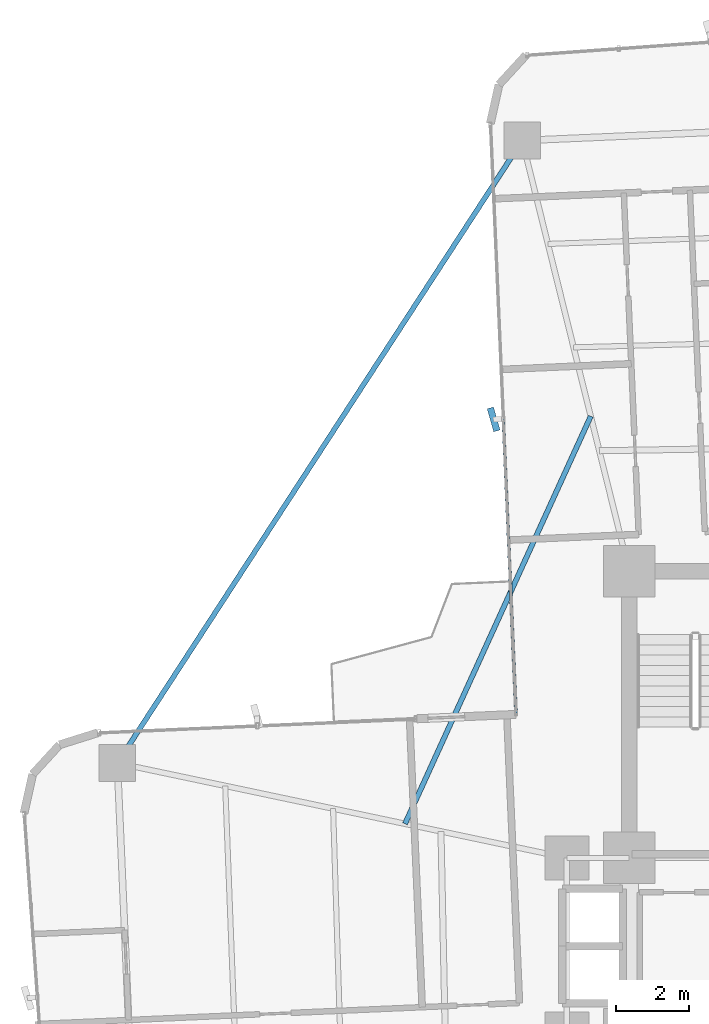
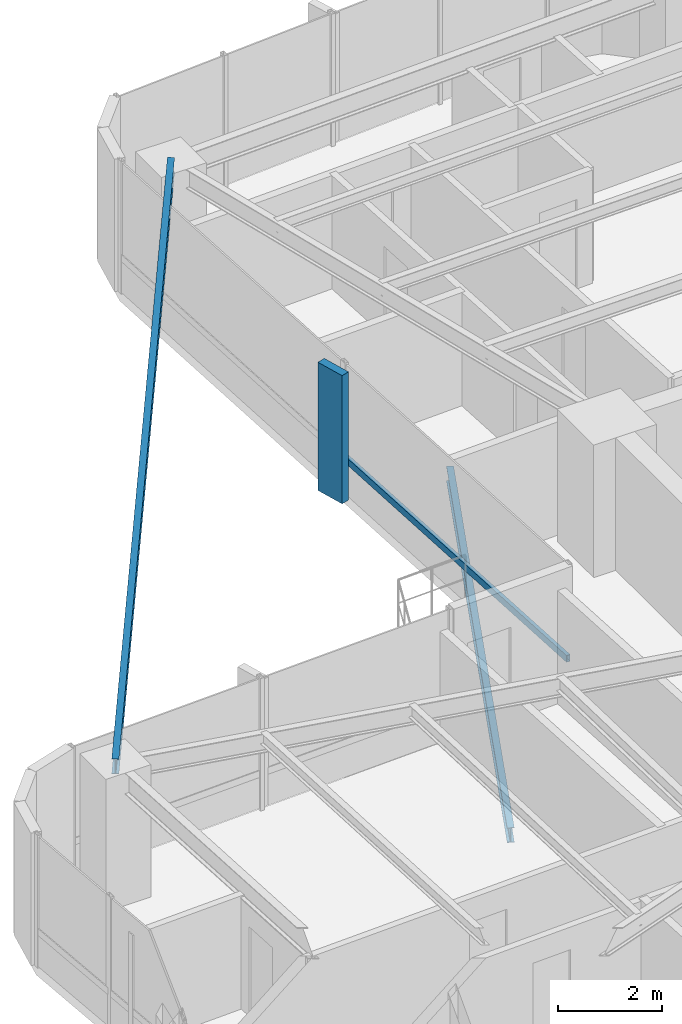
# One storey, part 16 of 27: 2 beams, 2 members, 1 element without a shape of its own.
"""IFC4 building model written with IfcOpenShell, lengths in metres."""

import ifcopenshell
import ifcopenshell.guid

model = None  # the IFC model being written
_history = None  # IfcOwnerHistory: only IFC2X3 demands one
_inside = {}  # id of a spatial element -> (the spatial element, [elements in it])
_under = {}  # id of a project, library or spatial element -> (it, [spatial elements below it])
_declared = {}  # id of a project -> (the project, [libraries it declares])
_typed = {}  # id of a type object -> (the type object, [elements of that type])
_made_of = {}  # id of a material, layer set ... -> (it, [elements and type objects made of it])


def new_model(schema):
    """Start an empty IFC model of exactly this schema.

    Asked for "IFC4X3", IfcOpenShell would pick the latest addendum, in which some entities
    have other attributes; the version numbers below select the first issue.
    IFC2X3 requires an IfcOwnerHistory on every rooted entity: one is made here for all.
    """
    global model, _history
    if schema == "IFC4X3":
        model = ifcopenshell.file(schema_version=(4, 3, 0, 0))
    else:
        model = ifcopenshell.file(schema=schema)
    _inside.clear()
    _under.clear()
    _declared.clear()
    _typed.clear()
    _made_of.clear()
    _history = None
    if model.schema == "IFC2X3":
        org = make("IfcOrganization", Name="unknown")
        user = make(
            "IfcPersonAndOrganization",
            ThePerson=make("IfcPerson", FamilyName="unknown"),
            TheOrganization=org,
        )
        app = make(
            "IfcApplication",
            ApplicationDeveloper=org,
            Version="unknown",
            ApplicationFullName="unknown",
            ApplicationIdentifier="unknown",
        )
        _history = make(
            "IfcOwnerHistory",
            OwningUser=user,
            OwningApplication=app,
            ChangeAction="ADDED",
            CreationDate=0,
        )
    return model


def make(cls, **values):
    """One entity of the class cls with the attributes given. An attribute that is None is left unset."""
    return model.create_entity(
        cls, **{name: value for name, value in values.items() if value is not None}
    )


def rooted(cls, **values):
    """An entity with a GlobalId (a new one), such as an element, a storey or a relation."""
    return make(cls, GlobalId=ifcopenshell.guid.new(), OwnerHistory=_history, **values)


def si_unit(unit_type, name, prefix=None):
    """IfcSIUnit, for example si_unit("LENGTHUNIT", "METRE", prefix="MILLI")."""
    return make("IfcSIUnit", UnitType=unit_type, Prefix=prefix, Name=name)


def assignment(units):
    """IfcUnitAssignment: the units of a project."""
    return None if units is None else make("IfcUnitAssignment", Units=units)


def point(xyz):
    """IfcCartesianPoint."""
    return None if xyz is None else make("IfcCartesianPoint", Coordinates=xyz)


def direction(xyz):
    """IfcDirection."""
    return None if xyz is None else make("IfcDirection", DirectionRatios=xyz)


def frame(location, z_axis=None, x_axis=None):
    """IfcAxis2Placement3D, a coordinate frame: its origin and axes. An axis left out is left unset."""
    return make(
        "IfcAxis2Placement3D",
        Location=point(location),
        Axis=direction(z_axis),
        RefDirection=direction(x_axis),
    )


def frame_2d(location, x_axis=None):
    """IfcAxis2Placement2D, a coordinate frame in the plane: its origin and x axis."""
    return make(
        "IfcAxis2Placement2D", Location=point(location), RefDirection=direction(x_axis)
    )


def origin():
    """The frame at (0, 0, 0) with its axes left unset."""
    return frame((0.0, 0.0, 0.0))


def origin_2d():
    """The frame at (0, 0) in the plane with its x axis left unset."""
    return frame_2d((0.0, 0.0))


def place(relative_to, where):
    """IfcLocalPlacement: puts the frame where relative to a parent placement (None: the world)."""
    return make(
        "IfcLocalPlacement", PlacementRelTo=relative_to, RelativePlacement=where
    )


def context(
    kind, dimensions, precision=None, world=None, true_north=None, identifier=None
):
    """IfcGeometricRepresentationContext, for example the 3D "Model" context."""
    return make(
        "IfcGeometricRepresentationContext",
        ContextIdentifier=identifier,
        ContextType=kind,
        CoordinateSpaceDimension=dimensions,
        Precision=precision,
        WorldCoordinateSystem=world,
        TrueNorth=true_north,
    )


def subcontext(parent, identifier, kind, view, scale=None):
    """IfcGeometricRepresentationSubContext, for example "Body" below "Model"."""
    return make(
        "IfcGeometricRepresentationSubContext",
        ContextIdentifier=identifier,
        ContextType=kind,
        ParentContext=parent,
        TargetScale=scale,
        TargetView=view,
    )


def project(units=None, contexts=None):
    """IfcProject with its units and contexts."""
    return rooted(
        "IfcProject",
        Name="project",
        RepresentationContexts=contexts,
        UnitsInContext=assignment(units),
    )


def spatial(cls, under=None, at=None, **own):
    """A site, building, storey or space (cls), placed at a placement, below another one or the project."""
    s = rooted(cls, ObjectPlacement=at, **own)
    if under is not None:
        _under.setdefault(under.id(), (under, []))[1].append(s)
    return s


def profile(cls, at=None, kind="AREA", **sizes):
    """A parametric profile (cls). Its sizes go by their IFC names, for example OverallWidth=200.0."""
    return make(cls, ProfileType=kind, Position=at, **sizes)


def rectangle(**sizes):
    """IfcRectangleProfileDef."""
    return profile("IfcRectangleProfileDef", **sizes)


def hollow_rectangle(**sizes):
    """IfcRectangleHollowProfileDef."""
    return profile("IfcRectangleHollowProfileDef", **sizes)


def i_section(**sizes):
    """IfcIShapeProfileDef."""
    return profile("IfcIShapeProfileDef", **sizes)


def extrude(swept, where, along, depth):
    """IfcExtrudedAreaSolid: the profile swept, set in the frame where, extruded along a direction by depth."""
    return make(
        "IfcExtrudedAreaSolid",
        SweptArea=swept,
        Position=where,
        ExtrudedDirection=direction(along),
        Depth=depth,
    )


def shape(context_of_items, identifier, shape_type, items):
    """IfcShapeRepresentation: the items that make up one representation, for example the "Body"."""
    return make(
        "IfcShapeRepresentation",
        ContextOfItems=context_of_items,
        RepresentationIdentifier=identifier,
        RepresentationType=shape_type,
        Items=items,
    )


def source(mapping_origin, context_of_items, identifier, shape_type, items):
    """IfcRepresentationMap: a shape defined once, which mapped items show again and again."""
    return make(
        "IfcRepresentationMap",
        MappingOrigin=mapping_origin,
        MappedRepresentation=shape(context_of_items, identifier, shape_type, items),
    )


def transform(
    local_origin,
    x_axis=None,
    y_axis=None,
    z_axis=None,
    scale=None,
    scale2=None,
    scale3=None,
    uniform=True,
):
    """IfcCartesianTransformationOperator3D, or its non-uniform kind. x_axis, y_axis, z_axis: its Axis1, 2, 3."""
    if uniform:
        return make(
            "IfcCartesianTransformationOperator3D",
            Axis1=direction(x_axis),
            Axis2=direction(y_axis),
            LocalOrigin=point(local_origin),
            Scale=scale,
            Axis3=direction(z_axis),
        )
    return make(
        "IfcCartesianTransformationOperator3DnonUniform",
        Axis1=direction(x_axis),
        Axis2=direction(y_axis),
        LocalOrigin=point(local_origin),
        Scale=scale,
        Axis3=direction(z_axis),
        Scale2=scale2,
        Scale3=scale3,
    )


def mapped(mapping_source, mapping_target):
    """IfcMappedItem: shows the shape of a source again, moved by a transform."""
    return make(
        "IfcMappedItem", MappingSource=mapping_source, MappingTarget=mapping_target
    )


def material(Name=None, Category=None):
    """IfcMaterial."""
    return make("IfcMaterial", Name=Name, Category=Category)


def material_profile(
    of_material, cross_section, Name=None, Category=None, Priority=None
):
    """IfcMaterialProfile: a cross section and its material."""
    return make(
        "IfcMaterialProfile",
        Name=Name,
        Material=of_material,
        Profile=cross_section,
        Priority=Priority,
        Category=Category,
    )


def profile_set(profiles, Name=None, composite=None):
    """IfcMaterialProfileSet."""
    return make(
        "IfcMaterialProfileSet",
        Name=Name,
        MaterialProfiles=profiles,
        CompositeProfile=composite,
    )


def made_of(thing, what):
    """Note that an element or type object is made of a material, layer set ...; save() writes the relation."""
    if what is not None:
        _made_of.setdefault(what.id(), (what, []))[1].append(thing)
    return thing


def type_object(cls, material=None, **own):
    """A type object (cls), such as IfcWallType, which elements share."""
    return made_of(rooted(cls, **own), material)


def element(
    cls,
    number,
    at=None,
    inside=None,
    cuts=None,
    type_object=None,
    material=None,
    context=None,
    identifier="Body",
    shape_type=None,
    held_by="IfcProductDefinitionShape",
    body=None,
    shapes=None,
    **own,
):
    """One element of the class cls, such as IfcWall. Its Tag is "e" and its number.

    at: its placement. inside: the storey or other place that contains it. cuts: it is an
    opening in that element (IfcRelVoidsElement). A single representation is given by context,
    identifier, shape_type and body (its items); several are given by shapes. held_by: the class
    of the entity that holds the representations. save() writes the other relations.
    """
    e = rooted(cls, Tag="e%d" % number, ObjectPlacement=at, **own)
    if body is not None:
        shapes = [shape(context, identifier, shape_type, body)]
    if shapes is not None:
        e.Representation = make(held_by, Representations=shapes)
    if inside is not None:
        _inside.setdefault(inside.id(), (inside, []))[1].append(e)
    if cuts is not None:
        rooted(
            "IfcRelVoidsElement", RelatingBuildingElement=cuts, RelatedOpeningElement=e
        )
    if type_object is not None:
        _typed.setdefault(type_object.id(), (type_object, []))[1].append(e)
    return made_of(e, material)


def aggregate(whole, parts):
    """IfcRelAggregates: a whole, such as a stair, and the parts it consists of."""
    return rooted("IfcRelAggregates", RelatingObject=whole, RelatedObjects=parts)


def save(model, path):
    """Write the relations noted so far, then the file.

    IfcRelAggregates (storeys below a building ...), IfcRelContainedInSpatialStructure (elements
    in a storey), IfcRelDefinesByType, IfcRelAssociatesMaterial and IfcRelDeclares: one each for
    every whole, place, type object, material and project.
    """
    for whole, parts in _under.values():
        aggregate(whole, parts)
    for where, things in _inside.values():
        rooted(
            "IfcRelContainedInSpatialStructure",
            RelatedElements=things,
            RelatingStructure=where,
        )
    for kind, things in _typed.values():
        rooted("IfcRelDefinesByType", RelatedObjects=things, RelatingType=kind)
    for what, things in _made_of.values():
        rooted("IfcRelAssociatesMaterial", RelatedObjects=things, RelatingMaterial=what)
    for by, libraries in _declared.values():
        rooted("IfcRelDeclares", RelatingContext=by, RelatedDefinitions=libraries)
    model.write(path)


model = new_model("IFC4")

# Units and contexts
model_context = context("Model", 3, precision=1e-05, world=origin(), true_north=direction((0.0, 1.0)))
body_context = subcontext(model_context, "Body", "Model", "MODEL_VIEW")
ifc_project = project(units=[si_unit("LENGTHUNIT", "METRE"), si_unit("AREAUNIT", "SQUARE_METRE"), si_unit("VOLUMEUNIT", "CUBIC_METRE"), si_unit("PLANEANGLEUNIT", "RADIAN"), si_unit("MASSUNIT", "GRAM", prefix="KILO")], contexts=[model_context])

# Site, building, storey
site_placement = place(None, origin())
site = spatial("IfcSite", under=ifc_project, at=site_placement, CompositionType="ELEMENT")
building_placement = place(site_placement, origin())
building = spatial("IfcBuilding", under=site, at=building_placement, Name="Sahyath Konkavel Grand Hotel", CompositionType="ELEMENT")
storey_placement = place(building_placement, frame((0.0, 0.0, 90.199951171875)))
storey = spatial("IfcBuildingStorey", under=building, at=storey_placement, Name="L24", CompositionType="ELEMENT", Elevation=90.199951171875)

# Beam
ifc_material_1 = material(Name="Steel E350", Category="steel")
ifc_material_profile_1 = material_profile(ifc_material_1, i_section(OverallWidth=0.139892578125, OverallDepth=0.35009765625, WebThickness=0.008056640625, FlangeThickness=0.01416015625, FilletRadius=0.013916015625, at=origin_2d()), Name="ISMB 350")
ifc_profile_set_1 = profile_set([ifc_material_profile_1], Name="Steel E350")
beam_type_1 = type_object("IfcBeamType", Name="BM-ISMB350", PredefinedType="BEAM", material=ifc_profile_set_1)
shared_shape_1 = source(origin(), body_context, "Body", "SweptSolid", [
    extrude(i_section(OverallWidth=0.139892578125, OverallDepth=0.35009765625, WebThickness=0.008056640625, FlangeThickness=0.01416015625, FilletRadius=0.013916015625, at=origin_2d()), origin(), (0.0, 0.0, 1.0), 20.21533203125),
])
beam_1_placement = place(storey_placement, frame((-6.712890625, 21.927978515625, 2.93505859375), z_axis=(-0.545191244931, -0.838311700056, 0.0), x_axis=(0.838311700056, -0.545191244931, 0.0)))
element("IfcBeam", 1, at=beam_1_placement, inside=storey, type_object=beam_type_1, Name="L24 Re-Entrant Tie Beam NW", PredefinedType="BEAM", context=body_context, shape_type="MappedRepresentation", body=[
    mapped(shared_shape_1, transform((0.0, 0.0, 0.0), scale=1.0)),
])

# Curtain wall, members
ifc_material_2 = material(Name="Anodised Bronze Aluminium & Low-E Glazing", Category="aluminium")
curtain_wall_type = type_object("IfcCurtainWallType", Name="CW-ZONE2", PredefinedType="NOTDEFINED", material=ifc_material_2)
curtain_wall_placement = place(storey_placement, origin())
curtain_wall = element("IfcCurtainWall", 2, at=curtain_wall_placement, inside=storey, type_object=curtain_wall_type, Name="L24 Unitised Curtain Wall F15", PredefinedType="NOTDEFINED")
ifc_material_3 = material(Name="Warm Buff Sandstone Cladding on Concrete C50/60", Category="masonry")
ifc_material_profile_2 = material_profile(ifc_material_3, rectangle(XDim=0.179931640625, YDim=0.64990234375, at=origin_2d()), Name="FIN 180x650")
ifc_profile_set_2 = profile_set([ifc_material_profile_2], Name="Warm Buff Sandstone Cladding on Concrete C50/60")
member_type_1 = type_object("IfcMemberType", Name="FIN-SANDSTONE-650", PredefinedType="MULLION", material=ifc_profile_set_2)
shared_shape_2 = source(origin(), body_context, "Body", "SweptSolid", [
    extrude(rectangle(XDim=0.179931640625, YDim=0.64990234375, at=origin_2d()), origin(), (0.0, 0.0, 1.0), 3.010009765625),
])
member_1_placement = place(storey_placement, frame((-7.492431640625, 14.3369140625, 0.050048828125), z_axis=(0.0, 0.0, 1.0), x_axis=(0.961693479997, 0.274127070043, 0.0)))
member_1 = element("IfcMember", 3, at=member_1_placement, type_object=member_type_1, Name="L24 Sandstone Vertical Solar Fin FIN F15-1", PredefinedType="MULLION", context=body_context, shape_type="MappedRepresentation", body=[
    mapped(shared_shape_2, transform((0.0, 0.0, 0.0), scale=1.0)),
])
ifc_material_4 = material(Name="Anodised Bronze Aluminium", Category="aluminium")
ifc_material_profile_3 = material_profile(ifc_material_4, hollow_rectangle(XDim=0.080078125, YDim=0.159912109375, WallThickness=0.006103515625, at=origin_2d()), Name="RHS 160x80x6")
ifc_profile_set_3 = profile_set([ifc_material_profile_3], Name="Anodised Bronze Aluminium")
member_type_2 = type_object("IfcMemberType", Name="CW-TRN-160", PredefinedType="USERDEFINED", material=ifc_profile_set_3)
shared_shape_3 = source(origin(), body_context, "Body", "SweptSolid", [
    extrude(hollow_rectangle(XDim=0.080078125, YDim=0.159912109375, WallThickness=0.006103515625, at=origin_2d()), origin(), (0.0, 0.0, 1.0), 8.010009765625),
])
member_2_placement = place(storey_placement, frame((-7.232666015625, 14.34814453125, 0.85009765625), z_axis=(0.043615785896, -0.999048378819, 0.0), x_axis=(0.999048378819, 0.043615785896, 0.0)))
member_2 = element("IfcMember", 4, at=member_2_placement, type_object=member_type_2, Name="L24 Curtain Wall Transom F15-1-spandrel", ObjectType="TRANSOM", PredefinedType="USERDEFINED", context=body_context, shape_type="MappedRepresentation", body=[
    mapped(shared_shape_3, transform((0.0, 0.0, 0.0), scale=1.0)),
])
aggregate(curtain_wall, [member_1, member_2])

# Beam
ifc_material_profile_4 = material_profile(ifc_material_1, i_section(OverallWidth=0.139892578125, OverallDepth=0.35009765625, WebThickness=0.008056640625, FlangeThickness=0.01416015625, FilletRadius=0.013916015625, at=origin_2d()), Name="ISMB 350")
ifc_profile_set_4 = profile_set([ifc_material_profile_4], Name="Steel E350")
beam_type_2 = type_object("IfcBeamType", Name="BM-BALC-CANT", PredefinedType="BEAM", material=ifc_profile_set_4)
shared_shape_4 = source(origin(), body_context, "Body", "SweptSolid", [
    extrude(i_section(OverallWidth=0.139892578125, OverallDepth=0.35009765625, WebThickness=0.008056640625, FlangeThickness=0.01416015625, FilletRadius=0.013916015625, at=origin_2d()), origin(), (0.0, 0.0, 1.0), 12.190673828125),
])
beam_2_placement = place(storey_placement, frame((-4.8486328125, 14.422119140625, -0.4150390625), z_axis=(-0.414712580086, -0.909952458054, 0.0), x_axis=(0.909952458054, -0.414712580086, 0.0)))
element("IfcBeam", 5, at=beam_2_placement, inside=storey, type_object=beam_type_2, Name="L24 Balcony Cantilever Support Beam NW", PredefinedType="BEAM", context=body_context, shape_type="MappedRepresentation", body=[
    mapped(shared_shape_4, transform((0.0, 0.0, 0.0), scale=1.0)),
])

save(model, "model.ifc")
